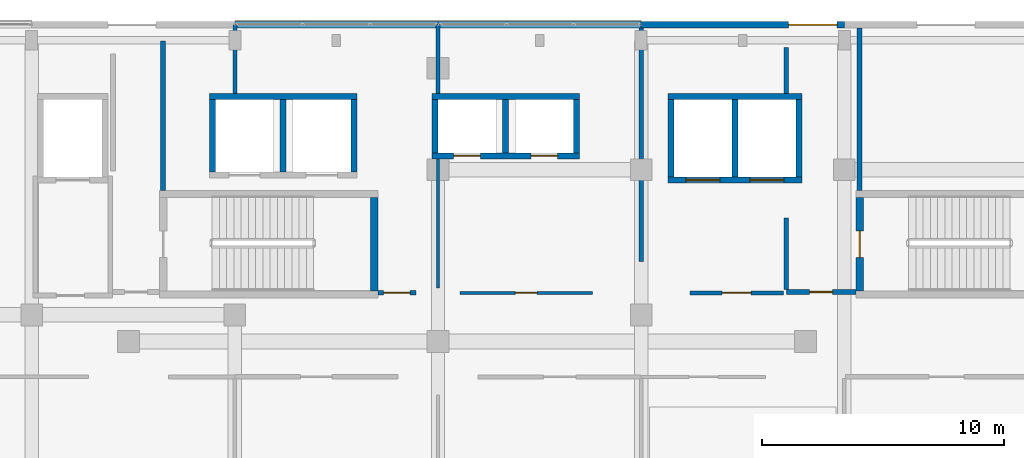
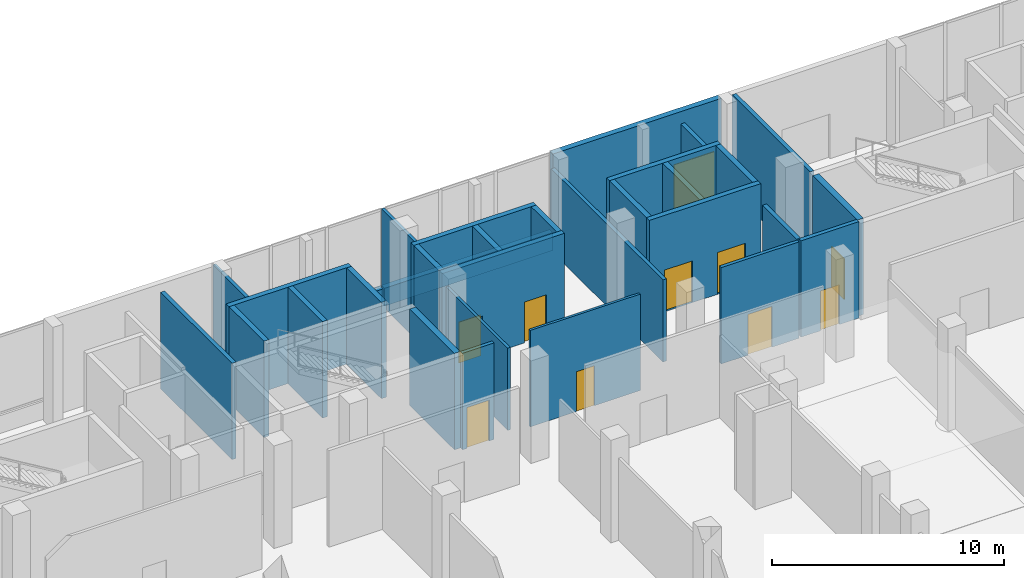
# One storey, part 142 of 158: 31 walls, 10 doors, 10 openings.
"""IFC4 building model written with IfcOpenShell, lengths in metres."""

from ifc_helpers import new_model, si_unit, direction, frame, frame_2d, origin, place, context, subcontext, project, spatial, rectangle, extrude, material, layer, layer_set, type_object, element, fill, save


model = new_model("IFC4")

# Units and contexts
model_context = context("Model", 3, precision=1e-05, world=origin(), true_north=direction((0.0, 1.0)))
body_context = subcontext(model_context, "Body", "Model", "MODEL_VIEW")
ifc_project = project(units=[si_unit("LENGTHUNIT", "METRE"), si_unit("AREAUNIT", "SQUARE_METRE"), si_unit("VOLUMEUNIT", "CUBIC_METRE"), si_unit("PLANEANGLEUNIT", "RADIAN"), si_unit("MASSUNIT", "GRAM", prefix="KILO")], contexts=[model_context])

# Site, building, storey
site_placement = place(None, origin())
site = spatial("IfcSite", under=ifc_project, at=site_placement, CompositionType="ELEMENT")
building_placement = place(site_placement, origin())
building = spatial("IfcBuilding", under=site, at=building_placement, Name="Selatvlak General Hospital", CompositionType="ELEMENT")
storey_placement = place(building_placement, origin())
storey = spatial("IfcBuildingStorey", under=building, at=storey_placement, Name="L00", CompositionType="ELEMENT", Elevation=0.0)

# Walls
ifc_material_1 = material(Name="Precast concrete C40/50 - white Bauhaus spandrel", Category="concrete")
ifc_layer_1 = layer(ifc_material_1, 0.280029296875, Name="Precast concrete C40/50 - white Bauhaus spandrel", Category="concrete")
ifc_layer_set_1 = layer_set([ifc_layer_1], Name="Precast concrete C40/50 - white Bauhaus spandrel")
wall_type_1 = type_object("IfcWallType", Name="WALL-EW-02", PredefinedType="SOLIDWALL", material=ifc_layer_set_1)
for number, where, z_axis, x_axis, name in (
    (1, (106.801025390625, 120.0, 0.0), (0.0, 0.0, 1.0), (1.0, 0.0, 0.0), "L00 Bauhaus spandrel sill wall 0160"),
    (2, (115.200927734375, 120.0, 0.0), (0.0, 0.0, 1.0), (1.0, 0.0, 0.0), "L00 Bauhaus spandrel sill wall 0161"),
):
    element("IfcWall", number, at=place(storey_placement, frame(where, z_axis=z_axis, x_axis=x_axis)), inside=storey, type_object=wall_type_1, Name=name, PredefinedType="SOLIDWALL", context=body_context, shape_type="SweptSolid", body=[
        extrude(rectangle(XDim=8.39599609375, YDim=0.280029296875, at=frame_2d((4.197998046875, 0.0))), origin(), (0.0, 0.0, 1.0), 0.93994140625),
    ])

# Wall, opening, door
wall_1_placement = place(storey_placement, frame((123.59912109375, 120.0, 0.0), z_axis=(0.0, 0.0, 1.0), x_axis=(1.0, 0.0, 0.0)))
wall_1 = element("IfcWall", 3, at=wall_1_placement, inside=storey, type_object=wall_type_1, Name="L00 exterior wall 0162", PredefinedType="SOLIDWALL", context=body_context, shape_type="SweptSolid", body=[
    extrude(rectangle(XDim=8.39990234375, YDim=0.280029296875, at=frame_2d((4.199951171875, 0.0))), origin(), (0.0, 0.0, 1.0), 5.080078125),
])
opening_1_placement = place(wall_1_placement, frame((6.10009765625, 0.0, 0.0)))
opening_1 = element("IfcOpeningElement", 4, at=opening_1_placement, cuts=wall_1, Name="Opening DE-03", PredefinedType="OPENING", context=body_context, shape_type="SweptSolid", body=[
    extrude(rectangle(XDim=2.0, YDim=2.300048828125, at=frame_2d((1.0, 1.14990234375))), frame((0.0, 0.14990234375, 0.0), z_axis=(0.0, -1.0, 0.0), x_axis=(1.0, 0.0, 0.0)), (0.0, 0.0, 1.0), 0.300048828125),
])
ifc_material_2 = material(Name="Steel acoustic fire exit double door", Category="steel")
door_type_1 = type_object("IfcDoorType", Name="DOOR-DE-03", OperationType="DOUBLE_DOOR_SINGLE_SWING", PredefinedType="DOOR", material=ifc_material_2)
door_1_placement = place(opening_1_placement, origin())
door_1 = element("IfcDoor", 5, at=door_1_placement, inside=storey, type_object=door_type_1, Name="Stair ST-04 ground final exit double door", OperationType="DOUBLE_DOOR_SINGLE_SWING", OverallHeight=2.300048828125, OverallWidth=2.0, PredefinedType="DOOR", context=body_context, shape_type="SweptSolid", body=[
    extrude(rectangle(XDim=2.0, YDim=2.300048828125, at=frame_2d((1.0, 1.14990234375))), frame((0.0, 0.02490234375, 0.0), z_axis=(0.0, -1.0, 0.0), x_axis=(1.0, 0.0, 0.0)), (0.0, 0.0, 1.0), 0.050048828125),
])
fill(opening_1, door_1)

# Walls
ifc_material_3 = material(Name="Concrete C40/50", Category="concrete")
ifc_layer_2 = layer(ifc_material_3, 0.199951171875, Name="Concrete C40/50", Category="concrete")
ifc_layer_set_2 = layer_set([ifc_layer_2], Name="Concrete C40/50")
wall_type_2 = type_object("IfcWallType", Name="WALL-IW-02", PredefinedType="SOLIDWALL", material=ifc_layer_set_2)
wall_2_placement = place(storey_placement, frame((103.830078125, 119.319091796875, 0.0), z_axis=(0.0, 0.0, 1.0), x_axis=(0.0, -1.0, 0.0)))
element("IfcWall", 6, at=wall_2_placement, inside=storey, type_object=wall_type_2, Name="L00 clinical partition PT-L00-0369", PredefinedType="SOLIDWALL", context=body_context, shape_type="SweptSolid", body=[
    extrude(rectangle(XDim=6.172119140625, YDim=0.199951171875, at=frame_2d((3.0859375, 0.0))), origin(), (0.0, 0.0, 1.0), 5.080078125),
])
wall_3_placement = place(storey_placement, frame((129.60009765625, 117.14697265625, 0.0), z_axis=(0.0, 0.0, 1.0), x_axis=(0.0, 1.0, 0.0)))
element("IfcWall", 7, at=wall_3_placement, inside=storey, type_object=wall_type_2, Name="L00 clinical partition PT-L00-0372", PredefinedType="SOLIDWALL", context=body_context, shape_type="SweptSolid", body=[
    extrude(rectangle(XDim=1.908935546875, YDim=0.199951171875, at=frame_2d((0.95458984375, 0.0))), origin(), (0.0, 0.0, 1.0), 5.080078125),
])
wall_4_placement = place(storey_placement, frame((132.6298828125, 119.863037109375, 0.0), z_axis=(0.0, 0.0, 1.0), x_axis=(0.0, -1.0, 0.0)))
element("IfcWall", 8, at=wall_4_placement, inside=storey, type_object=wall_type_2, Name="L00 clinical partition PT-L00-0373", PredefinedType="SOLIDWALL", context=body_context, shape_type="SweptSolid", body=[
    extrude(rectangle(XDim=6.716064453125, YDim=0.199951171875, at=frame_2d((3.35791015625, 0.0))), origin(), (0.0, 0.0, 1.0), 5.080078125),
])

# Wall, opening, door
wall_5_placement = place(storey_placement, frame((132.489990234375, 108.949951171875, 0.0), z_axis=(0.0, 0.0, 1.0), x_axis=(-1.0, 0.0, 0.0)))
wall_5 = element("IfcWall", 9, at=wall_5_placement, inside=storey, type_object=wall_type_2, Name="L00 clinical partition PT-L00-0374", PredefinedType="SOLIDWALL", context=body_context, shape_type="SweptSolid", body=[
    extrude(rectangle(XDim=2.889892578125, YDim=0.199951171875, at=frame_2d((1.44482421875, 0.0))), origin(), (0.0, 0.0, 1.0), 5.080078125),
])
opening_2_placement = place(wall_5_placement, frame((0.969970703125, 0.0, 0.0)))
opening_2 = element("IfcOpeningElement", 10, at=opening_2_placement, cuts=wall_5, Name="Opening D-02", PredefinedType="OPENING", context=body_context, shape_type="SweptSolid", body=[
    extrude(rectangle(XDim=0.949951171875, YDim=2.10009765625, at=frame_2d((0.47509765625, 1.050048828125))), frame((0.0, 0.10986328125, 0.0), z_axis=(0.0, -1.0, 0.0), x_axis=(1.0, 0.0, 0.0)), (0.0, 0.0, 1.0), 0.219970703125),
])
ifc_material_4 = material(Name="Moisture-resistant en-suite door")
door_type_2 = type_object("IfcDoorType", Name="DOOR-D-02", OperationType="NOTDEFINED", PredefinedType="DOOR", material=ifc_material_4)
door_2_placement = place(opening_2_placement, origin())
door_2 = element("IfcDoor", 11, at=door_2_placement, inside=storey, type_object=door_type_2, Name="L00 Protected Exit Passageway ST-04 door", OperationType="SINGLE_SWING_RIGHT", OverallHeight=2.10009765625, OverallWidth=0.949951171875, PredefinedType="DOOR", context=body_context, shape_type="SweptSolid", body=[
    extrude(rectangle(XDim=0.949951171875, YDim=2.10009765625, at=frame_2d((0.47509765625, 1.050048828125))), frame((0.0, 0.02490234375, 0.0), z_axis=(0.0, -1.0, 0.0), x_axis=(1.0, 0.0, 0.0)), (0.0, 0.0, 1.0), 0.050048828125),
])
fill(opening_2, door_2)

# Wall
wall_6_placement = place(storey_placement, frame((129.60009765625, 109.0458984375, 0.0), z_axis=(0.0, 0.0, 1.0), x_axis=(0.0, 1.0, 0.0)))
element("IfcWall", 12, at=wall_6_placement, inside=storey, type_object=wall_type_2, Name="L00 clinical partition PT-L00-0375", PredefinedType="SOLIDWALL", context=body_context, shape_type="SweptSolid", body=[
    extrude(rectangle(XDim=2.9541015625, YDim=0.199951171875, at=frame_2d((1.47705078125, 0.0))), origin(), (0.0, 0.0, 1.0), 5.080078125),
])

# Wall, opening, door
ifc_material_5 = material(Name="Acoustic gypsum stud partition")
ifc_layer_3 = layer(ifc_material_5, 0.179931640625, Name="Acoustic gypsum stud partition")
ifc_layer_set_3 = layer_set([ifc_layer_3], Name="Acoustic gypsum stud partition")
wall_type_3 = type_object("IfcWallType", Name="WALL-PT-01", PredefinedType="PARTITIONING", material=ifc_layer_set_3)
wall_7_placement = place(storey_placement, frame((114.287109375, 108.909912109375, 0.0), z_axis=(0.0, 0.0, 1.0), x_axis=(-1.0, 0.0, 0.0)))
wall_7 = element("IfcWall", 13, at=wall_7_placement, inside=storey, type_object=wall_type_3, Name="L00 clinical partition PT-L00-0680", PredefinedType="PARTITIONING", context=body_context, shape_type="SweptSolid", body=[
    extrude(rectangle(XDim=1.5771484375, YDim=0.179931640625, at=frame_2d((0.78857421875, 0.0))), origin(), (0.0, 0.0, 1.0), 5.080078125),
])
opening_3_placement = place(wall_7_placement, frame((0.239013671875, 0.0, 0.0)))
opening_3 = element("IfcOpeningElement", 14, at=opening_3_placement, cuts=wall_7, Name="Opening D-22", PredefinedType="OPENING", context=body_context, shape_type="SweptSolid", body=[
    extrude(rectangle(XDim=1.10009765625, YDim=2.14990234375, at=frame_2d((0.550048828125, 1.074951171875))), frame((0.0, 0.099853515625, 0.0), z_axis=(0.0, -1.0, 0.0), x_axis=(1.0, 0.0, 0.0)), (0.0, 0.0, 1.0), 0.199951171875),
])
ifc_material_6 = material(Name="Pharmacy security fire door")
door_type_3 = type_object("IfcDoorType", Name="DOOR-D-22", OperationType="NOTDEFINED", PredefinedType="DOOR", material=ifc_material_6)
door_3_placement = place(opening_3_placement, origin())
door_3 = element("IfcDoor", 15, at=door_3_placement, inside=storey, type_object=door_type_3, Name="L00 Diagnostic Ultrasound Room 69 door", OperationType="SINGLE_SWING_LEFT", OverallHeight=2.14990234375, OverallWidth=1.10009765625, PredefinedType="DOOR", context=body_context, shape_type="SweptSolid", body=[
    extrude(rectangle(XDim=1.10009765625, YDim=2.14990234375, at=frame_2d((0.550048828125, 1.074951171875))), frame((0.0, 0.02490234375, 0.0), z_axis=(0.0, -1.0, 0.0), x_axis=(1.0, 0.0, 0.0)), (0.0, 0.0, 1.0), 0.050048828125),
])
fill(opening_3, door_3)

# Walls
wall_8_placement = place(storey_placement, frame((123.60009765625, 119.863037109375, 0.0), z_axis=(0.0, 0.0, 1.0), x_axis=(0.0, -1.0, 0.0)))
element("IfcWall", 16, at=wall_8_placement, inside=storey, type_object=wall_type_3, Name="L00 clinical partition PT-L00-0685", PredefinedType="PARTITIONING", context=body_context, shape_type="SweptSolid", body=[
    extrude(rectangle(XDim=9.653076171875, YDim=0.179931640625, at=frame_2d((4.82666015625, 0.0))), origin(), (0.0, 0.0, 1.0), 4.330078125),
])
ifc_layer_4 = layer(ifc_material_5, 0.1650390625, Name="Acoustic gypsum stud partition")
ifc_layer_set_4 = layer_set([ifc_layer_4], Name="Acoustic gypsum stud partition")
wall_type_4 = type_object("IfcWallType", Name="WALL-PT-02", PredefinedType="PARTITIONING", material=ifc_layer_set_4)
wall_9_placement = place(storey_placement, frame((106.800048828125, 117.14697265625, 0.0), z_axis=(0.0, 0.0, 1.0), x_axis=(0.0, 1.0, 0.0)))
element("IfcWall", 17, at=wall_9_placement, inside=storey, type_object=wall_type_4, Name="L00 clinical partition PT-L00-0681", PredefinedType="PARTITIONING", context=body_context, shape_type="SweptSolid", body=[
    extrude(rectangle(XDim=2.843017578125, YDim=0.1650390625, at=frame_2d((1.42138671875, 0.0))), origin(), (0.0, 0.0, 1.0), 5.080078125),
])

# Wall, opening, door
wall_10_placement = place(storey_placement, frame((129.487060546875, 108.909912109375, 0.0), z_axis=(0.0, 0.0, 1.0), x_axis=(-1.0, 0.0, 0.0)))
wall_10 = element("IfcWall", 18, at=wall_10_placement, inside=storey, type_object=wall_type_4, Name="L00 clinical partition PT-L00-0686", PredefinedType="PARTITIONING", context=body_context, shape_type="SweptSolid", body=[
    extrude(rectangle(XDim=3.8759765625, YDim=0.1650390625, at=frame_2d((1.93798828125, 0.0))), origin(), (0.0, 0.0, 1.0), 5.080078125),
])
opening_4_placement = place(wall_10_placement, frame((1.337890625, 0.0, 0.0)))
opening_4 = element("IfcOpeningElement", 19, at=opening_4_placement, cuts=wall_10, Name="Opening D-07", PredefinedType="OPENING", context=body_context, shape_type="SweptSolid", body=[
    extrude(rectangle(XDim=1.199951171875, YDim=2.14990234375, at=frame_2d((0.60009765625, 1.074951171875))), frame((0.0, 0.092529296875, 0.0), z_axis=(0.0, -1.0, 0.0), x_axis=(1.0, 0.0, 0.0)), (0.0, 0.0, 1.0), 0.18505859375),
])
ifc_material_7 = material(Name="Plant and store fire door")
door_type_4 = type_object("IfcDoorType", Name="DOOR-D-07", OperationType="NOTDEFINED", PredefinedType="DOOR", material=ifc_material_7)
door_4_placement = place(opening_4_placement, origin())
door_4 = element("IfcDoor", 20, at=door_4_placement, inside=storey, type_object=door_type_4, Name="L00 Emergency Triage Room 71 door", OperationType="SINGLE_SWING_LEFT", OverallHeight=2.14990234375, OverallWidth=1.199951171875, PredefinedType="DOOR", context=body_context, shape_type="SweptSolid", body=[
    extrude(rectangle(XDim=1.199951171875, YDim=2.14990234375, at=frame_2d((0.60009765625, 1.074951171875))), frame((0.0, 0.02490234375, 0.0), z_axis=(0.0, -1.0, 0.0), x_axis=(1.0, 0.0, 0.0)), (0.0, 0.0, 1.0), 0.050048828125),
])
fill(opening_4, door_4)

# Walls
ifc_layer_5 = layer(ifc_material_5, 0.14990234375, Name="Acoustic gypsum stud partition")
ifc_layer_set_5 = layer_set([ifc_layer_5], Name="Acoustic gypsum stud partition")
wall_type_5 = type_object("IfcWallType", Name="WALL-PT-03", PredefinedType="PARTITIONING", material=ifc_layer_set_5)
wall_11_placement = place(storey_placement, frame((115.199951171875, 119.989990234375, 0.0), z_axis=(0.0, 0.0, 1.0), x_axis=(0.0, -1.0, 0.0)))
element("IfcWall", 21, at=wall_11_placement, inside=storey, type_object=wall_type_5, Name="L00 clinical partition PT-L00-0682", PredefinedType="PARTITIONING", context=body_context, shape_type="SweptSolid", body=[
    extrude(rectangle(XDim=2.843017578125, YDim=0.14990234375, at=frame_2d((1.42138671875, 0.0))), origin(), (0.0, 0.0, 1.0), 5.080078125),
])
ifc_material_8 = material(Name="Moisture-resistant clinical partition")
ifc_layer_6 = layer(ifc_material_8, 0.135009765625, Name="Moisture-resistant clinical partition")
ifc_layer_set_6 = layer_set([ifc_layer_6], Name="Moisture-resistant clinical partition")
wall_type_6 = type_object("IfcWallType", Name="WALL-PT-04", PredefinedType="PARTITIONING", material=ifc_layer_set_6)
wall_12_placement = place(storey_placement, frame((115.199951171875, 114.452880859375, 0.0), z_axis=(0.0, 0.0, 1.0), x_axis=(0.0, -1.0, 0.0)))
element("IfcWall", 22, at=wall_12_placement, inside=storey, type_object=wall_type_6, Name="L00 clinical partition PT-L00-0683", PredefinedType="PARTITIONING", context=body_context, shape_type="SweptSolid", body=[
    extrude(rectangle(XDim=5.3427734375, YDim=0.135009765625, at=frame_2d((2.67138671875, 0.0))), origin(), (0.0, 0.0, 1.0), 4.330078125),
])

# Wall, opening, door
ifc_layer_7 = layer(ifc_material_8, 0.1201171875, Name="Moisture-resistant clinical partition")
ifc_layer_set_7 = layer_set([ifc_layer_7], Name="Moisture-resistant clinical partition")
wall_type_7 = type_object("IfcWallType", Name="WALL-PT-05", PredefinedType="PARTITIONING", material=ifc_layer_set_7)
wall_13_placement = place(storey_placement, frame((121.589111328125, 108.909912109375, 0.0), z_axis=(0.0, 0.0, 1.0), x_axis=(-1.0, 0.0, 0.0)))
wall_13 = element("IfcWall", 23, at=wall_13_placement, inside=storey, type_object=wall_type_7, Name="L00 clinical partition PT-L00-0684", PredefinedType="PARTITIONING", context=body_context, shape_type="SweptSolid", body=[
    extrude(rectangle(XDim=5.47607421875, YDim=0.1201171875, at=frame_2d((2.738037109375, 0.0))), origin(), (0.0, 0.0, 1.0), 5.080078125),
])
opening_5_placement = place(wall_13_placement, frame((2.2880859375, 0.0, 0.0)))
opening_5 = element("IfcOpeningElement", 24, at=opening_5_placement, cuts=wall_13, Name="Opening D-01", PredefinedType="OPENING", context=body_context, shape_type="SweptSolid", body=[
    extrude(rectangle(XDim=0.89990234375, YDim=2.10009765625, at=frame_2d((0.449951171875, 1.050048828125))), frame((0.0, 0.070068359375, 0.0), z_axis=(0.0, -1.0, 0.0), x_axis=(1.0, 0.0, 0.0)), (0.0, 0.0, 1.0), 0.14013671875),
])
ifc_material_9 = material(Name="Hardwood clinical room door", Category="wood")
door_type_5 = type_object("IfcDoorType", Name="DOOR-D-01", OperationType="NOTDEFINED", PredefinedType="DOOR", material=ifc_material_9)
door_5_placement = place(opening_5_placement, origin())
door_5 = element("IfcDoor", 25, at=door_5_placement, inside=storey, type_object=door_type_5, Name="L00 General Radiography X-Ray Suite 70 door", OperationType="SINGLE_SWING_RIGHT", OverallHeight=2.10009765625, OverallWidth=0.89990234375, PredefinedType="DOOR", context=body_context, shape_type="SweptSolid", body=[
    extrude(rectangle(XDim=0.89990234375, YDim=2.10009765625, at=frame_2d((0.449951171875, 1.050048828125))), frame((0.0, 0.02490234375, 0.0), z_axis=(0.0, -1.0, 0.0), x_axis=(1.0, 0.0, 0.0)), (0.0, 0.0, 1.0), 0.050048828125),
])
fill(opening_5, door_5)

# Wall
ifc_material_10 = material(Name="Concrete C45/55", Category="concrete")
ifc_layer_8 = layer(ifc_material_10, 0.300048828125, Name="Concrete C45/55", Category="concrete")
ifc_layer_set_8 = layer_set([ifc_layer_8], Name="Concrete C45/55")
wall_type_8 = type_object("IfcWallType", Name="WALL-SW-02", PredefinedType="SHEAR", material=ifc_layer_set_8)
wall_14_placement = place(storey_placement, frame((112.56005859375, 108.989990234375, 0.0), z_axis=(0.0, 0.0, 1.0), x_axis=(0.0, 1.0, 0.0)))
element("IfcWall", 26, at=wall_14_placement, inside=storey, type_object=wall_type_8, Name="ST-03 core shear wall L00 E", PredefinedType="SHEAR", context=body_context, shape_type="SweptSolid", body=[
    extrude(rectangle(XDim=3.860107421875, YDim=0.300048828125, at=frame_2d((1.93017578125, 0.0))), origin(), (0.0, 0.0, 1.0), 5.080078125),
])

# Wall, opening, door
wall_15_placement = place(storey_placement, frame((132.639892578125, 112.85009765625, 0.0), z_axis=(0.0, 0.0, 1.0), x_axis=(0.0, -1.0, 0.0)))
wall_15 = element("IfcWall", 27, at=wall_15_placement, inside=storey, type_object=wall_type_8, Name="ST-04 core shear wall L00 W", PredefinedType="SHEAR", context=body_context, shape_type="SweptSolid", body=[
    extrude(rectangle(XDim=3.860107421875, YDim=0.300048828125, at=frame_2d((1.93017578125, 0.0))), origin(), (0.0, 0.0, 1.0), 5.080078125),
])
opening_6_placement = place(wall_15_placement, frame((1.3798828125, 0.0, 0.0)))
opening_6 = element("IfcOpeningElement", 28, at=opening_6_placement, cuts=wall_15, Name="Opening D-05", PredefinedType="OPENING", context=body_context, shape_type="SweptSolid", body=[
    extrude(rectangle(XDim=1.10009765625, YDim=2.14990234375, at=frame_2d((0.550048828125, 1.074951171875))), frame((0.0, 0.159912109375, 0.0), z_axis=(0.0, -1.0, 0.0), x_axis=(1.0, 0.0, 0.0)), (0.0, 0.0, 1.0), 0.320068359375),
])
ifc_material_11 = material(Name="Protected stair fire door")
door_type_6 = type_object("IfcDoorType", Name="DOOR-D-05", OperationType="NOTDEFINED", PredefinedType="DOOR", material=ifc_material_11)
door_6_placement = place(opening_6_placement, origin())
door_6 = element("IfcDoor", 29, at=door_6_placement, inside=storey, type_object=door_type_6, Name="ST-04 protected stair door on L00", OperationType="SINGLE_SWING_LEFT", OverallHeight=2.14990234375, OverallWidth=1.10009765625, PredefinedType="DOOR", context=body_context, shape_type="SweptSolid", body=[
    extrude(rectangle(XDim=1.10009765625, YDim=2.14990234375, at=frame_2d((0.550048828125, 1.074951171875))), frame((0.0, 0.02490234375, 0.0), z_axis=(0.0, -1.0, 0.0), x_axis=(1.0, 0.0, 0.0)), (0.0, 0.0, 1.0), 0.050048828125),
])
fill(opening_6, door_6)

# Wall, openings, doors
ifc_layer_9 = layer(ifc_material_3, 0.25, Name="Concrete C40/50", Category="concrete")
ifc_layer_set_9 = layer_set([ifc_layer_9], Name="Concrete C40/50")
wall_type_9 = type_object("IfcWallType", Name="WALL-SW-03", PredefinedType="SHEAR", material=ifc_layer_set_9)
wall_16_placement = place(storey_placement, frame((124.699951171875, 113.574951171875, 0.0), z_axis=(0.0, 0.0, 1.0), x_axis=(1.0, 0.0, 0.0)))
wall_16 = element("IfcWall", 30, at=wall_16_placement, inside=storey, type_object=wall_type_9, Name="Lift LB-03-LB-04 shaft wall L00 S", PredefinedType="SHEAR", context=body_context, shape_type="SweptSolid", body=[
    extrude(rectangle(XDim=5.550048828125, YDim=0.25, at=frame_2d((2.77490234375, 0.0))), origin(), (0.0, 0.0, 1.0), 5.080078125),
])
opening_7_placement = place(wall_16_placement, frame((0.75, 0.0, 0.0)))
opening_7 = element("IfcOpeningElement", 31, at=opening_7_placement, cuts=wall_16, Name="Opening LD-B1", PredefinedType="OPENING", context=body_context, shape_type="SweptSolid", body=[
    extrude(rectangle(XDim=1.39990234375, YDim=2.199951171875, at=frame_2d((0.699951171875, 1.10009765625))), frame((0.0, 0.135009765625, 0.0), z_axis=(0.0, -1.0, 0.0), x_axis=(1.0, 0.0, 0.0)), (0.0, 0.0, 1.0), 0.27001953125),
])
opening_8_placement = place(wall_16_placement, frame((3.39990234375, 0.0, 0.0)))
opening_8 = element("IfcOpeningElement", 32, at=opening_8_placement, cuts=wall_16, Name="Opening LD-B1", PredefinedType="OPENING", context=body_context, shape_type="SweptSolid", body=[
    extrude(rectangle(XDim=1.39990234375, YDim=2.199951171875, at=frame_2d((0.699951171875, 1.10009765625))), frame((0.0, 0.135009765625, 0.0), z_axis=(0.0, -1.0, 0.0), x_axis=(1.0, 0.0, 0.0)), (0.0, 0.0, 1.0), 0.27001953125),
])
ifc_material_12 = material(Name="Stainless steel stretcher lift landing door", Category="steel")
door_type_7 = type_object("IfcDoorType", Name="DOOR-LD-B1", OperationType="DOUBLE_DOOR_SLIDING", PredefinedType="DOOR", material=ifc_material_12)
door_7_placement = place(opening_7_placement, origin())
door_7 = element("IfcDoor", 33, at=door_7_placement, inside=storey, type_object=door_type_7, Name="Lift LB-03 sliding landing door on L00", OperationType="DOUBLE_DOOR_SLIDING", OverallHeight=2.199951171875, OverallWidth=1.39990234375, PredefinedType="DOOR", context=body_context, shape_type="SweptSolid", body=[
    extrude(rectangle(XDim=1.39990234375, YDim=2.199951171875, at=frame_2d((0.699951171875, 1.10009765625))), frame((0.0, 0.02490234375, 0.0), z_axis=(0.0, -1.0, 0.0), x_axis=(1.0, 0.0, 0.0)), (0.0, 0.0, 1.0), 0.050048828125),
])
fill(opening_7, door_7)
door_8_placement = place(opening_8_placement, origin())
door_8 = element("IfcDoor", 34, at=door_8_placement, inside=storey, type_object=door_type_7, Name="Lift LB-04 sliding landing door on L00", OperationType="DOUBLE_DOOR_SLIDING", OverallHeight=2.199951171875, OverallWidth=1.39990234375, PredefinedType="DOOR", context=body_context, shape_type="SweptSolid", body=[
    extrude(rectangle(XDim=1.39990234375, YDim=2.199951171875, at=frame_2d((0.699951171875, 1.10009765625))), frame((0.0, 0.02490234375, 0.0), z_axis=(0.0, -1.0, 0.0), x_axis=(1.0, 0.0, 0.0)), (0.0, 0.0, 1.0), 0.050048828125),
])
fill(opening_8, door_8)

# Walls
wall_17_placement = place(storey_placement, frame((130.125, 113.699951171875, 0.0), z_axis=(0.0, 0.0, 1.0), x_axis=(0.0, 1.0, 0.0)))
element("IfcWall", 35, at=wall_17_placement, inside=storey, type_object=wall_type_9, Name="Lift LB-03-LB-04 shaft wall L00 E", PredefinedType="SHEAR", context=body_context, shape_type="SweptSolid", body=[
    extrude(rectangle(XDim=3.199951171875, YDim=0.25, at=frame_2d((1.60009765625, 0.0))), origin(), (0.0, 0.0, 1.0), 5.080078125),
])
wall_18_placement = place(storey_placement, frame((130.25, 117.02490234375, 0.0), z_axis=(0.0, 0.0, 1.0), x_axis=(-1.0, 0.0, 0.0)))
element("IfcWall", 36, at=wall_18_placement, inside=storey, type_object=wall_type_9, Name="Lift LB-03-LB-04 shaft wall L00 N", PredefinedType="SHEAR", context=body_context, shape_type="SweptSolid", body=[
    extrude(rectangle(XDim=5.550048828125, YDim=0.25, at=frame_2d((2.77490234375, 0.0))), origin(), (0.0, 0.0, 1.0), 5.080078125),
])
for number, where, z_axis, x_axis, name in (
    (37, (124.824951171875, 116.89990234375, 0.0), (0.0, 0.0, 1.0), (0.0, -1.0, 0.0), "Lift LB-03-LB-04 shaft wall L00 W"),
    (38, (127.47509765625, 113.699951171875, 0.0), (0.0, 0.0, 1.0), (0.0, 1.0, 0.0), "Lift LB-03-LB-04 dividing shaft wall L00"),
):
    element("IfcWall", number, at=place(storey_placement, frame(where, z_axis=z_axis, x_axis=x_axis)), inside=storey, type_object=wall_type_9, Name=name, PredefinedType="SHEAR", context=body_context, shape_type="SweptSolid", body=[
        extrude(rectangle(XDim=3.199951171875, YDim=0.25, at=frame_2d((1.60009765625, 0.0))), origin(), (0.0, 0.0, 1.0), 5.080078125),
    ])
wall_19_placement = place(storey_placement, frame((111.72509765625, 113.89990234375, 0.0), z_axis=(0.0, 0.0, 1.0), x_axis=(0.0, 1.0, 0.0)))
element("IfcWall", 39, at=wall_19_placement, inside=storey, type_object=wall_type_9, Name="Lift LS-01-LS-02 shaft wall L00 E", PredefinedType="SHEAR", context=body_context, shape_type="SweptSolid", body=[
    extrude(rectangle(XDim=3.0, YDim=0.25, at=frame_2d((1.5, 0.0))), origin(), (0.0, 0.0, 1.0), 5.080078125),
])
wall_20_placement = place(storey_placement, frame((111.85009765625, 117.02490234375, 0.0), z_axis=(0.0, 0.0, 1.0), x_axis=(-1.0, 0.0, 0.0)))
element("IfcWall", 40, at=wall_20_placement, inside=storey, type_object=wall_type_9, Name="Lift LS-01-LS-02 shaft wall L00 N", PredefinedType="SHEAR", context=body_context, shape_type="SweptSolid", body=[
    extrude(rectangle(XDim=6.10009765625, YDim=0.25, at=frame_2d((3.050048828125, 0.0))), origin(), (0.0, 0.0, 1.0), 5.080078125),
])
for number, where, z_axis, x_axis, name in (
    (41, (105.875, 116.89990234375, 0.0), (0.0, 0.0, 1.0), (0.0, -1.0, 0.0), "Lift LS-01-LS-02 shaft wall L00 W"),
    (42, (108.800048828125, 113.89990234375, 0.0), (0.0, 0.0, 1.0), (0.0, 1.0, 0.0), "Lift LS-01-LS-02 dividing shaft wall L00"),
):
    element("IfcWall", number, at=place(storey_placement, frame(where, z_axis=z_axis, x_axis=x_axis)), inside=storey, type_object=wall_type_9, Name=name, PredefinedType="SHEAR", context=body_context, shape_type="SweptSolid", body=[
        extrude(rectangle(XDim=3.0, YDim=0.25, at=frame_2d((1.5, 0.0))), origin(), (0.0, 0.0, 1.0), 5.080078125),
    ])

# Wall, openings, doors
wall_21_placement = place(storey_placement, frame((114.949951171875, 114.574951171875, 0.0), z_axis=(0.0, 0.0, 1.0), x_axis=(1.0, 0.0, 0.0)))
wall_21 = element("IfcWall", 43, at=wall_21_placement, inside=storey, type_object=wall_type_9, Name="Lift LP-05-LP-06 shaft wall L00 S", PredefinedType="SHEAR", context=body_context, shape_type="SweptSolid", body=[
    extrude(rectangle(XDim=6.10009765625, YDim=0.25, at=frame_2d((3.050048828125, 0.0))), origin(), (0.0, 0.0, 1.0), 5.080078125),
])
opening_9_placement = place(wall_21_placement, frame((0.89990234375, 0.0, 0.0)))
opening_9 = element("IfcOpeningElement", 44, at=opening_9_placement, cuts=wall_21, Name="Opening LD-P1", PredefinedType="OPENING", context=body_context, shape_type="SweptSolid", body=[
    extrude(rectangle(XDim=1.10009765625, YDim=2.14990234375, at=frame_2d((0.550048828125, 1.074951171875))), frame((0.0, 0.135009765625, 0.0), z_axis=(0.0, -1.0, 0.0), x_axis=(1.0, 0.0, 0.0)), (0.0, 0.0, 1.0), 0.27001953125),
])
opening_10_placement = place(wall_21_placement, frame((4.10009765625, 0.0, 0.0)))
opening_10 = element("IfcOpeningElement", 45, at=opening_10_placement, cuts=wall_21, Name="Opening LD-P1", PredefinedType="OPENING", context=body_context, shape_type="SweptSolid", body=[
    extrude(rectangle(XDim=1.10009765625, YDim=2.14990234375, at=frame_2d((0.550048828125, 1.074951171875))), frame((0.0, 0.135009765625, 0.0), z_axis=(0.0, -1.0, 0.0), x_axis=(1.0, 0.0, 0.0)), (0.0, 0.0, 1.0), 0.27001953125),
])
ifc_material_13 = material(Name="Stainless steel passenger lift landing door", Category="steel")
door_type_8 = type_object("IfcDoorType", Name="DOOR-LD-P1", OperationType="DOUBLE_DOOR_SLIDING", PredefinedType="DOOR", material=ifc_material_13)
door_9_placement = place(opening_9_placement, origin())
door_9 = element("IfcDoor", 46, at=door_9_placement, inside=storey, type_object=door_type_8, Name="Lift LP-05 sliding landing door on L00", OperationType="DOUBLE_DOOR_SLIDING", OverallHeight=2.14990234375, OverallWidth=1.10009765625, PredefinedType="DOOR", context=body_context, shape_type="SweptSolid", body=[
    extrude(rectangle(XDim=1.10009765625, YDim=2.14990234375, at=frame_2d((0.550048828125, 1.074951171875))), frame((0.0, 0.02490234375, 0.0), z_axis=(0.0, -1.0, 0.0), x_axis=(1.0, 0.0, 0.0)), (0.0, 0.0, 1.0), 0.050048828125),
])
fill(opening_9, door_9)
door_10_placement = place(opening_10_placement, origin())
door_10 = element("IfcDoor", 47, at=door_10_placement, inside=storey, type_object=door_type_8, Name="Lift LP-06 sliding landing door on L00", OperationType="DOUBLE_DOOR_SLIDING", OverallHeight=2.14990234375, OverallWidth=1.10009765625, PredefinedType="DOOR", context=body_context, shape_type="SweptSolid", body=[
    extrude(rectangle(XDim=1.10009765625, YDim=2.14990234375, at=frame_2d((0.550048828125, 1.074951171875))), frame((0.0, 0.02490234375, 0.0), z_axis=(0.0, -1.0, 0.0), x_axis=(1.0, 0.0, 0.0)), (0.0, 0.0, 1.0), 0.050048828125),
])
fill(opening_10, door_10)

# Walls
wall_22_placement = place(storey_placement, frame((120.925048828125, 114.699951171875, 0.0), z_axis=(0.0, 0.0, 1.0), x_axis=(0.0, 1.0, 0.0)))
element("IfcWall", 48, at=wall_22_placement, inside=storey, type_object=wall_type_9, Name="Lift LP-05-LP-06 shaft wall L00 E", PredefinedType="SHEAR", context=body_context, shape_type="SweptSolid", body=[
    extrude(rectangle(XDim=2.199951171875, YDim=0.25, at=frame_2d((1.10009765625, 0.0))), origin(), (0.0, 0.0, 1.0), 5.080078125),
])
wall_23_placement = place(storey_placement, frame((121.050048828125, 117.02490234375, 0.0), z_axis=(0.0, 0.0, 1.0), x_axis=(-1.0, 0.0, 0.0)))
element("IfcWall", 49, at=wall_23_placement, inside=storey, type_object=wall_type_9, Name="Lift LP-05-LP-06 shaft wall L00 N", PredefinedType="SHEAR", context=body_context, shape_type="SweptSolid", body=[
    extrude(rectangle(XDim=6.10009765625, YDim=0.25, at=frame_2d((3.050048828125, 0.0))), origin(), (0.0, 0.0, 1.0), 5.080078125),
])
for number, where, z_axis, x_axis, name in (
    (50, (115.074951171875, 116.89990234375, 0.0), (0.0, 0.0, 1.0), (0.0, -1.0, 0.0), "Lift LP-05-LP-06 shaft wall L00 W"),
    (51, (118.0, 114.699951171875, 0.0), (0.0, 0.0, 1.0), (0.0, 1.0, 0.0), "Lift LP-05-LP-06 dividing shaft wall L00"),
):
    element("IfcWall", number, at=place(storey_placement, frame(where, z_axis=z_axis, x_axis=x_axis)), inside=storey, type_object=wall_type_9, Name=name, PredefinedType="SHEAR", context=body_context, shape_type="SweptSolid", body=[
        extrude(rectangle(XDim=2.199951171875, YDim=0.25, at=frame_2d((1.10009765625, 0.0))), origin(), (0.0, 0.0, 1.0), 5.080078125),
    ])

save(model, "model.ifc")
